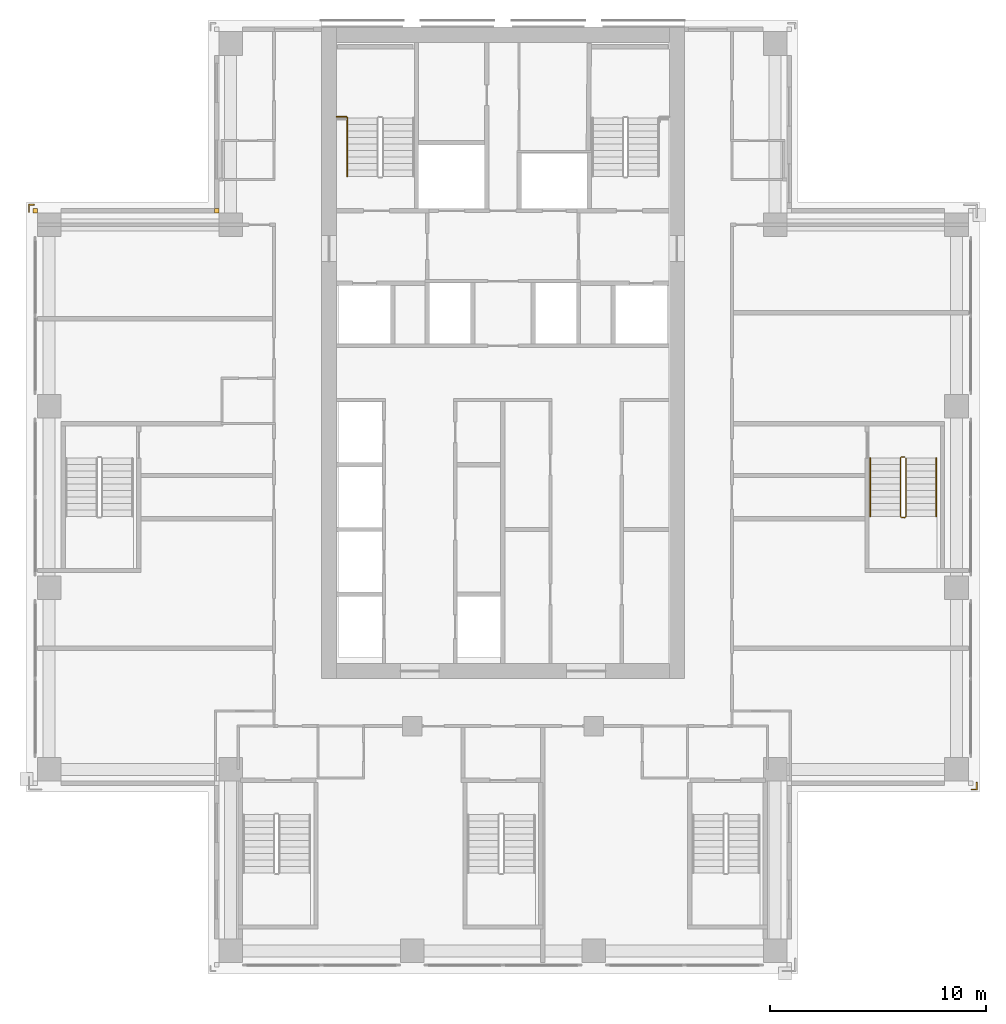
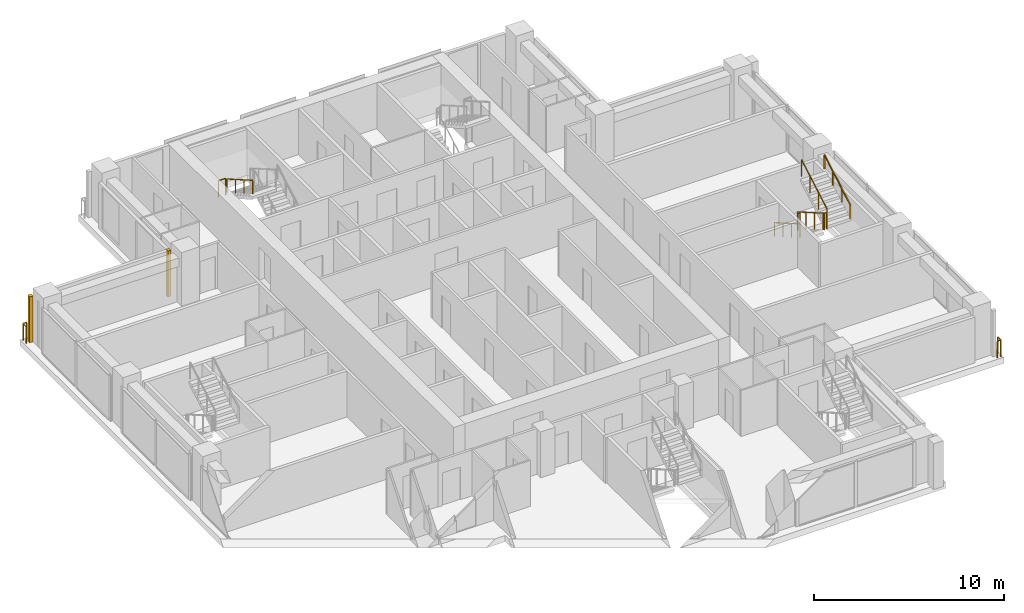
# One storey, part 15 of 16: 7 railings, 2 coverings.
"""IFC4 building model written with IfcOpenShell, lengths in metres."""

from ifc_helpers import new_model, si_unit, direction, frame, origin, origin_2d, place, context, subcontext, project, spatial, polyline, rectangle, outline, extrude, material, type_object, element, save


model = new_model("IFC4")

# Units and contexts
model_context = context("Model", 3, precision=1e-05, world=origin(), true_north=direction((0.0, 1.0)))
body_context = subcontext(model_context, "Body", "Model", "MODEL_VIEW")
ifc_project = project(units=[si_unit("LENGTHUNIT", "METRE"), si_unit("AREAUNIT", "SQUARE_METRE"), si_unit("VOLUMEUNIT", "CUBIC_METRE"), si_unit("PLANEANGLEUNIT", "RADIAN"), si_unit("MASSUNIT", "GRAM", prefix="KILO")], contexts=[model_context])

# Site, building, storey
site_placement = place(None, origin())
site = spatial("IfcSite", under=ifc_project, at=site_placement, CompositionType="ELEMENT")
building_placement = place(site_placement, origin())
building = spatial("IfcBuilding", under=site, at=building_placement, Name="Vermilion Ogive Tower", CompositionType="ELEMENT")
storey_placement = place(building_placement, frame((0.0, 0.0, 167.60009765625)))
storey = spatial("IfcBuildingStorey", under=building, at=storey_placement, Name="L43", CompositionType="ELEMENT", Elevation=167.60009765625)

# Railings
ifc_material_1 = material(Name="Stainless steel", Category="steel")
railing_type_1 = type_object("IfcRailingType", Name="Slab edge guard SG1", PredefinedType="GUARDRAIL", material=ifc_material_1)
railing_1_placement = place(storey_placement, frame((-21.929931640625, 13.199951171875, 0.0)))
element("IfcRailing", 1, at=railing_1_placement, inside=storey, type_object=railing_type_1, Name="L43 slab corner guard", PredefinedType="GUARDRAIL", context=body_context, shape_type="SweptSolid", body=[
    extrude(rectangle(XDim=0.050048828125, YDim=0.050048828125, at=origin_2d()), frame((0.0, 0.0, 1.0751953125), z_axis=(0.0, 1.0, 0.0), x_axis=(-1.0, 0.0, 0.0)), (0.0, 0.0, 1.0), 0.330078125),
    extrude(rectangle(XDim=0.050048828125, YDim=0.050048828125, at=origin_2d()), frame((0.0, 0.330078125, 1.0751953125), z_axis=(1.0, 0.0, 0.0), x_axis=(0.0, 1.0, 0.0)), (0.0, 0.0, 1.0), 0.22998046875),
    extrude(rectangle(XDim=0.050048828125, YDim=0.050048828125, at=origin_2d()), origin(), (0.0, 0.0, 1.0), 1.050048828125),
    extrude(rectangle(XDim=0.050048828125, YDim=0.050048828125, at=origin_2d()), frame((0.0, 0.330078125, 0.0)), (0.0, 0.0, 1.0), 1.050048828125),
    extrude(rectangle(XDim=0.050048828125, YDim=0.050048828125, at=origin_2d()), frame((0.22998046875, 0.330078125, 0.0)), (0.0, 0.0, 1.0), 1.050048828125),
])
railing_2_placement = place(storey_placement, frame((21.929931640625, -13.199951171875, 0.0)))
element("IfcRailing", 2, at=railing_2_placement, inside=storey, type_object=railing_type_1, Name="L43 slab corner guard", PredefinedType="GUARDRAIL", context=body_context, shape_type="SweptSolid", body=[
    extrude(rectangle(XDim=0.050048828125, YDim=0.050048828125, at=origin_2d()), frame((0.0, 0.0, 1.0751953125), z_axis=(0.0, -1.0, 0.0), x_axis=(1.0, 0.0, 0.0)), (0.0, 0.0, 1.0), 0.330078125),
    extrude(rectangle(XDim=0.050048828125, YDim=0.050048828125, at=origin_2d()), frame((0.0, -0.330078125, 1.0751953125), z_axis=(-1.0, 0.0, 0.0), x_axis=(0.0, -1.0, 0.0)), (0.0, 0.0, 1.0), 0.22998046875),
    extrude(rectangle(XDim=0.050048828125, YDim=0.050048828125, at=origin_2d()), origin(), (0.0, 0.0, 1.0), 1.050048828125),
    extrude(rectangle(XDim=0.050048828125, YDim=0.050048828125, at=origin_2d()), frame((0.0, -0.330078125, 0.0)), (0.0, 0.0, 1.0), 1.050048828125),
    extrude(rectangle(XDim=0.050048828125, YDim=0.050048828125, at=origin_2d()), frame((-0.22998046875, -0.330078125, 0.0)), (0.0, 0.0, 1.0), 1.050048828125),
])
ifc_material_2 = material(Name="Steel S355 painted", Category="steel")
railing_type_2 = type_object("IfcRailingType", Name="Stair guard 1100", PredefinedType="GUARDRAIL", material=ifc_material_2)
railing_3_placement = place(storey_placement, frame((18.60009765625, 1.85009765625, 0.0)))
element("IfcRailing", 3, at=railing_3_placement, inside=storey, type_object=railing_type_2, Name="L43 ST8 stair guard 4", PredefinedType="GUARDRAIL", context=body_context, shape_type="SweptSolid", body=[
    extrude(rectangle(XDim=0.048095703125, YDim=0.048095703125, at=origin_2d()), frame((0.0, 0.0, 1.076171875), z_axis=(-1.0, 0.0, 0.0), x_axis=(0.0, -1.0, 0.0)), (0.0, 0.0, 1.0), 0.150146484375),
    extrude(rectangle(XDim=0.048095703125, YDim=0.048095703125, at=origin_2d()), frame((-0.150146484375, 0.0, 1.076171875), z_axis=(-0.268603158521, -0.268603158521, 0.925043072762), x_axis=(0.707106781187, -0.707106781187, 0.0)), (0.0, 0.0, 1.0), 0.186279296875),
    extrude(rectangle(XDim=0.048095703125, YDim=0.048095703125, at=origin_2d()), frame((-0.2001953125, -0.050048828125, 1.24853515625), z_axis=(0.0, -0.866903762492, 0.498475542607), x_axis=(1.0, 0.0, 0.0)), (0.0, 0.0, 1.0), 3.114501953125),
    extrude(rectangle(XDim=0.048095703125, YDim=0.048095703125, at=origin_2d()), frame((-0.2001953125, -2.75, 2.80078125), z_axis=(0.707106781187, -0.707106781187, 0.0), x_axis=(0.707106781187, 0.707106781187, 0.0)), (0.0, 0.0, 1.0), 0.07080078125),
    extrude(rectangle(XDim=0.048095703125, YDim=0.048095703125, at=origin_2d()), frame((-0.150146484375, -2.800048828125, 2.80078125), z_axis=(1.0, 0.0, 0.0), x_axis=(0.0, 1.0, 0.0)), (0.0, 0.0, 1.0), 0.150146484375),
    extrude(rectangle(XDim=0.048095703125, YDim=0.048095703125, at=origin_2d()), frame((0.0, -2.800048828125, 2.80078125), z_axis=(0.267062837333, 0.268371968888, 0.925556009775), x_axis=(-0.708833529934, 0.705375805398, 0.0)), (0.0, 0.0, 1.0), 0.1865234375),
    extrude(rectangle(XDim=0.048095703125, YDim=0.048095703125, at=origin_2d()), frame((0.0498046875, -2.75, 2.9736328125), z_axis=(0.0, 0.866903762492, 0.498475542607), x_axis=(-1.0, 0.0, 0.0)), (0.0, 0.0, 1.0), 3.114501953125),
    extrude(rectangle(XDim=0.0419921875, YDim=0.0419921875, at=origin_2d()), origin(), (0.0, 0.0, 1.0), 1.052001953125),
    extrude(rectangle(XDim=0.0419921875, YDim=0.0419921875, at=origin_2d()), frame((-0.150146484375, 0.0, 0.0)), (0.0, 0.0, 1.0), 1.052001953125),
    extrude(rectangle(XDim=0.0419921875, YDim=0.0419921875, at=origin_2d()), frame((-0.2001953125, -0.050048828125, 0.17236328125)), (0.0, 0.0, 1.0), 1.052001953125),
    extrude(rectangle(XDim=0.0419921875, YDim=0.0419921875, at=origin_2d()), frame((-0.2001953125, -0.949951171875, 0.68994140625)), (0.0, 0.0, 1.0), 1.052001953125),
    extrude(rectangle(XDim=0.0419921875, YDim=0.0419921875, at=origin_2d()), frame((-0.2001953125, -1.85009765625, 1.207275390625)), (0.0, 0.0, 1.0), 1.052001953125),
    extrude(rectangle(XDim=0.0419921875, YDim=0.0419921875, at=origin_2d()), frame((-0.2001953125, -2.75, 1.724853515625)), (0.0, 0.0, 1.0), 1.052001953125),
    extrude(rectangle(XDim=0.0419921875, YDim=0.0419921875, at=origin_2d()), frame((-0.150146484375, -2.800048828125, 1.724853515625)), (0.0, 0.0, 1.0), 1.052001953125),
    extrude(rectangle(XDim=0.0419921875, YDim=0.0419921875, at=origin_2d()), frame((0.0, -2.800048828125, 1.724853515625)), (0.0, 0.0, 1.0), 1.052001953125),
    extrude(rectangle(XDim=0.0419921875, YDim=0.0419921875, at=origin_2d()), frame((0.0498046875, -2.75, 1.8974609375)), (0.0, 0.0, 1.0), 1.052001953125),
    extrude(rectangle(XDim=0.0419921875, YDim=0.0419921875, at=origin_2d()), frame((0.0498046875, -1.85009765625, 2.4150390625)), (0.0, 0.0, 1.0), 1.052001953125),
    extrude(rectangle(XDim=0.0419921875, YDim=0.0419921875, at=origin_2d()), frame((0.0498046875, -0.949951171875, 2.932373046875)), (0.0, 0.0, 1.0), 1.052001953125),
    extrude(rectangle(XDim=0.0419921875, YDim=0.0419921875, at=origin_2d()), frame((0.0498046875, -0.050048828125, 3.449951171875)), (0.0, 0.0, 1.0), 1.052001953125),
])
railing_4_placement = place(storey_placement, frame((-7.699951171875, 17.60009765625, 1.724853515625)))
element("IfcRailing", 4, at=railing_4_placement, inside=storey, type_object=railing_type_2, Name="L43 landing guard", PredefinedType="GUARDRAIL", context=body_context, shape_type="SweptSolid", body=[
    extrude(rectangle(XDim=0.048095703125, YDim=0.048095703125, at=origin_2d()), frame((0.0, 0.0, 1.076171875), z_axis=(1.0, 0.0, 0.0), x_axis=(0.0, 1.0, 0.0)), (0.0, 0.0, 1.0), 0.449951171875),
    extrude(rectangle(XDim=0.0419921875, YDim=0.0419921875, at=origin_2d()), origin(), (0.0, 0.0, 1.0), 1.052001953125),
    extrude(rectangle(XDim=0.0419921875, YDim=0.0419921875, at=origin_2d()), frame((0.449951171875, 0.0, 0.0)), (0.0, 0.0, 1.0), 1.052001953125),
])
ifc_material_3 = material(Name="Stainless steel", Category="steel")
railing_type_3 = type_object("IfcRailingType", Name="Stair handrail 900", PredefinedType="HANDRAIL", material=ifc_material_3)
for number, where, name in (
    (5, (-7.199951171875, 17.550048828125, 1.8974609375), "L43 ST1 stair handrail 2"),
    (6, (17.0, 1.800048828125, 0.17236328125), "L43 ST8 stair handrail 1"),
):
    element("IfcRailing", number, at=place(storey_placement, frame(where)), inside=storey, type_object=railing_type_3, Name=name, PredefinedType="HANDRAIL", context=body_context, shape_type="SweptSolid", body=[
        extrude(rectangle(XDim=0.048095703125, YDim=0.048095703125, at=origin_2d()), frame((0.0, 0.0, 0.8759765625), z_axis=(0.0, -0.866903762492, 0.498475542607), x_axis=(1.0, 0.0, 0.0)), (0.0, 0.0, 1.0), 3.114501953125),
        extrude(rectangle(XDim=0.0419921875, YDim=0.0419921875, at=origin_2d()), origin(), (0.0, 0.0, 1.0), 0.851806640625),
        extrude(rectangle(XDim=0.0419921875, YDim=0.0419921875, at=origin_2d()), frame((0.0, -0.89990234375, 0.517578125)), (0.0, 0.0, 1.0), 0.851806640625),
        extrude(rectangle(XDim=0.0419921875, YDim=0.0419921875, at=origin_2d()), frame((0.0, -1.800048828125, 1.034912109375)), (0.0, 0.0, 1.0), 0.851806640625),
        extrude(rectangle(XDim=0.0419921875, YDim=0.0419921875, at=origin_2d()), frame((0.0, -2.699951171875, 1.552490234375)), (0.0, 0.0, 1.0), 0.851806640625),
    ])
railing_5_placement = place(storey_placement, frame((20.050048828125, -0.89990234375, 1.8974609375)))
element("IfcRailing", 7, at=railing_5_placement, inside=storey, type_object=railing_type_3, Name="L43 ST8 stair handrail 2", PredefinedType="HANDRAIL", context=body_context, shape_type="SweptSolid", body=[
    extrude(rectangle(XDim=0.048095703125, YDim=0.048095703125, at=origin_2d()), frame((0.0, 0.0, 0.8759765625), z_axis=(0.0, 0.866903762492, 0.498475542607), x_axis=(-1.0, 0.0, 0.0)), (0.0, 0.0, 1.0), 3.114501953125),
    extrude(rectangle(XDim=0.0419921875, YDim=0.0419921875, at=origin_2d()), origin(), (0.0, 0.0, 1.0), 0.851806640625),
    extrude(rectangle(XDim=0.0419921875, YDim=0.0419921875, at=origin_2d()), frame((0.0, 0.89990234375, 0.517578125)), (0.0, 0.0, 1.0), 0.851806640625),
    extrude(rectangle(XDim=0.0419921875, YDim=0.0419921875, at=origin_2d()), frame((0.0, 1.800048828125, 1.034912109375)), (0.0, 0.0, 1.0), 0.851806640625),
    extrude(rectangle(XDim=0.0419921875, YDim=0.0419921875, at=origin_2d()), frame((0.0, 2.699951171875, 1.552490234375)), (0.0, 0.0, 1.0), 0.851806640625),
])

# Coverings
ifc_material_4 = material(Name="Stone cladding", Category="masonry")
covering_type = type_object("IfcCoveringType", Name="Stone pier", PredefinedType="CLADDING", material=ifc_material_4)
covering_1_placement = place(storey_placement, origin())
element("IfcCovering", 8, at=covering_1_placement, inside=storey, type_object=covering_type, Name="Stone corner pier X5E1", PredefinedType="CLADDING", context=body_context, shape_type="SweptSolid", body=[
    extrude(outline(polyline([(-13.14990234375, 13.14990234375), (-13.35009765625, 13.14990234375), (-13.35009765625, 13.35009765625), (-13.14990234375, 13.35009765625), (-13.14990234375, 13.14990234375)])), origin(), (0.0, 0.0, 1.0), 2.949951171875),
])
covering_2_placement = place(storey_placement, origin())
element("IfcCovering", 9, at=covering_2_placement, inside=storey, type_object=covering_type, Name="Stone corner pier X6E1", PredefinedType="CLADDING", context=body_context, shape_type="SweptSolid", body=[
    extrude(outline(polyline([(-21.550048828125, 13.35009765625), (-21.550048828125, 13.14990234375), (-21.75, 13.14990234375), (-21.75, 13.35009765625), (-21.550048828125, 13.35009765625)])), origin(), (0.0, 0.0, 1.0), 2.949951171875),
])

save(model, "model.ifc")
